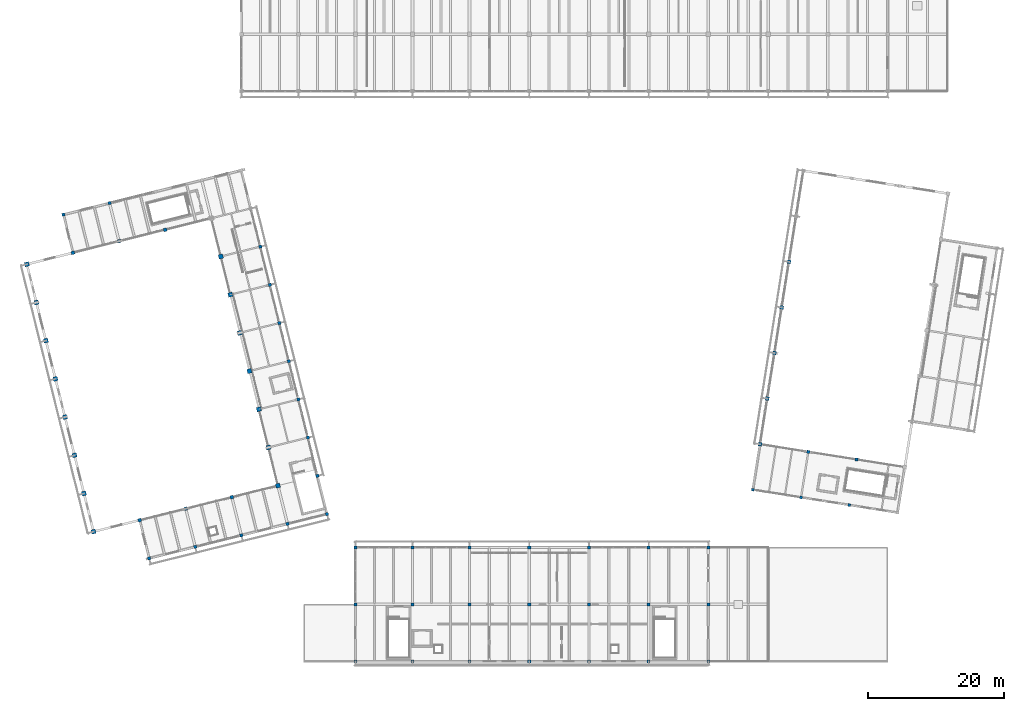
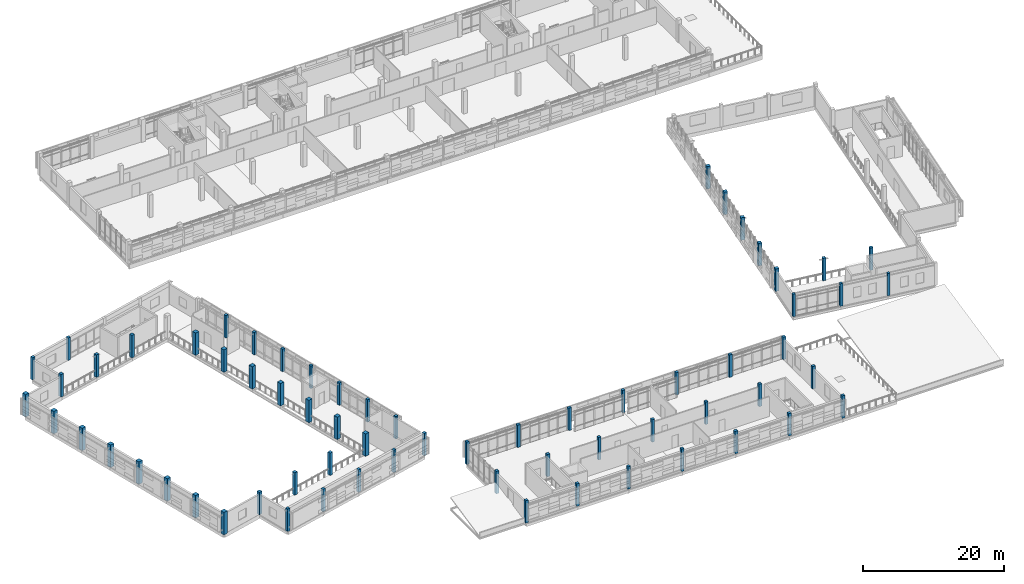
# One storey, part 1 of 117: 66 columns.
"""IFC4 building model written with IfcOpenShell, lengths in metres."""

from ifc_helpers import new_model, si_unit, direction, frame, origin, origin_2d, place, context, subcontext, project, spatial, rectangle, extrude, material, material_profile, profile_set, type_object, element, save


model = new_model("IFC4")

# Units and contexts
model_context = context("Model", 3, precision=1e-05, world=origin(), true_north=direction((0.0, 1.0)))
body_context = subcontext(model_context, "Body", "Model", "MODEL_VIEW")
ifc_project = project(units=[si_unit("LENGTHUNIT", "METRE"), si_unit("AREAUNIT", "SQUARE_METRE"), si_unit("VOLUMEUNIT", "CUBIC_METRE"), si_unit("PLANEANGLEUNIT", "RADIAN"), si_unit("MASSUNIT", "GRAM", prefix="KILO")], contexts=[model_context])

# Site, building, storey
site_placement = place(None, origin())
site = spatial("IfcSite", under=ifc_project, at=site_placement, CompositionType="ELEMENT")
building_placement = place(site_placement, origin())
building = spatial("IfcBuilding", under=site, at=building_placement, Name="Cinderway Yard Community Centre", CompositionType="ELEMENT")
storey_placement = place(building_placement, frame((0.0, 0.0, 9.0)))
storey = spatial("IfcBuildingStorey", under=building, at=storey_placement, Name="L02", CompositionType="ELEMENT", Elevation=9.0)

# Columns
ifc_material = material(Name="Concrete C40/50", Category="concrete")
ifc_material_profile_1 = material_profile(ifc_material, rectangle(XDim=0.39990234375, YDim=0.39990234375, at=origin_2d()), Name="Concrete C40/50")
ifc_profile_set_1 = profile_set([ifc_material_profile_1], Name="Concrete C40/50")
column_type_1 = type_object("IfcColumnType", Name="STR-COL-RC400", PredefinedType="COLUMN", material=ifc_profile_set_1)
for number, where, z_axis, x_axis, name in (
    (1, (116.93603515625, 31.283935546875, 0.0), (0.0, 0.0, 1.0), (0.987688340595, -0.15643446504, 0.0), "Column V2-CS-000 L02"),
    (2, (124.048095703125, 30.156982421875, 0.0), (0.0, 0.0, 1.0), (0.987688340595, -0.15643446504, 0.0), "Column V2-CS-072 L02"),
    (3, (131.158935546875, 29.031005859375, 0.0), (0.0, 0.0, 1.0), (0.987688340595, -0.15643446504, 0.0), "Column V2-CS-144 L02"),
):
    element("IfcColumn", number, at=place(storey_placement, frame(where, z_axis=z_axis, x_axis=x_axis)), inside=storey, type_object=column_type_1, Name=name, PredefinedType="COLUMN", context=body_context, shape_type="SweptSolid", body=[
        extrude(rectangle(XDim=0.39990234375, YDim=0.39990234375, at=origin_2d()), origin(), (0.0, 0.0, 1.0), 3.89990234375),
    ])
ifc_material_profile_2 = material_profile(ifc_material, rectangle(XDim=0.449951171875, YDim=0.449951171875, at=origin_2d()), Name="Concrete C40/50")
ifc_profile_set_2 = profile_set([ifc_material_profile_2], Name="Concrete C40/50")
column_type_2 = type_object("IfcColumnType", Name="STR-COL-RC450", PredefinedType="COLUMN", material=ifc_profile_set_2)
for number, where, z_axis, x_axis, name in (
    (4, (52.799072265625, 33.342041015625, 0.0), (0.0, 0.0, 1.0), (0.970295726276, 0.2419218956, 0.0), "Column V1-C-G01 L02"),
    (5, (51.39599609375, 38.969970703125, 0.0), (0.0, 0.0, 1.0), (0.970295726276, 0.2419218956, 0.0), "Column V1-C-G02 L02"),
    (6, (49.992919921875, 44.597900390625, 0.0), (0.0, 0.0, 1.0), (0.970295726276, 0.2419218956, 0.0), "Column V1-C-G03 L02"),
    (7, (48.590087890625, 50.22509765625, 0.0), (0.0, 0.0, 1.0), (0.970295726276, 0.2419218956, 0.0), "Column V1-C-G04 L02"),
    (8, (47.18701171875, 55.85302734375, 0.0), (0.0, 0.0, 1.0), (0.970295726276, 0.2419218956, 0.0), "Column V1-C-G05 L02"),
    (9, (45.783935546875, 61.48095703125, 0.0), (0.0, 0.0, 1.0), (0.970295726276, 0.2419218956, 0.0), "Column V1-C-G06 L02"),
    (10, (44.381103515625, 67.10791015625, 0.0), (0.0, 0.0, 1.0), (0.970295726276, 0.2419218956, 0.0), "Column V1-C-G07 L02"),
    (11, (28.0048828125, 21.18310546875, 0.0), (0.0, 0.0, 1.0), (0.970295726276, 0.2419218956, 0.0), "Column V1-CS-07 L02"),
    (12, (34.797119140625, 22.8759765625, 0.0), (0.0, 0.0, 1.0), (0.970295726276, 0.2419218956, 0.0), "Column V1-CS-14 L02"),
    (13, (41.589111328125, 24.569091796875, 0.0), (0.0, 0.0, 1.0), (0.970295726276, 0.2419218956, 0.0), "Column V1-CS-21 L02"),
    (14, (48.381103515625, 26.262939453125, 0.0), (0.0, 0.0, 1.0), (0.970295726276, 0.2419218956, 0.0), "Column V1-CS-28 L02"),
    (15, (54.202880859375, 27.714111328125, 0.0), (0.0, 0.0, 1.0), (0.970295726276, 0.2419218956, 0.0), "Column V1-CS-34 L02"),
    (16, (15.3759765625, 71.83203125, 0.0), (0.0, 0.0, 1.0), (0.970295726276, 0.2419218956, 0.0), "Column V1-CN-07 L02"),
    (17, (22.16796875, 73.52490234375, 0.0), (0.0, 0.0, 1.0), (0.970295726276, 0.2419218956, 0.0), "Column V1-CN-14 L02"),
    (18, (125.111083984375, 36.8740234375, 0.0), (0.0, 0.0, 1.0), (0.987688340595, -0.15643446504, 0.0), "Column V2-GS-072 L02"),
    (19, (132.222900390625, 35.7470703125, 0.0), (0.0, 0.0, 1.0), (0.987688340595, -0.15643446504, 0.0), "Column V2-GS-144 L02"),
    (20, (58.39990234375, 6.0, 0.0), (0.0, 0.0, 1.0), (1.0, 0.0, 0.0), "Column V3-C-01-1 L02"),
    (21, (58.39990234375, 14.39990234375, 0.0), (0.0, 0.0, 1.0), (1.0, 0.0, 0.0), "Column V3-C-01-2 L02"),
    (22, (58.39990234375, 22.800048828125, 0.0), (0.0, 0.0, 1.0), (1.0, 0.0, 0.0), "Column V3-C-01-3 L02"),
    (23, (66.800048828125, 6.0, 0.0), (0.0, 0.0, 1.0), (1.0, 0.0, 0.0), "Column V3-C-02-1 L02"),
    (24, (66.800048828125, 14.39990234375, 0.0), (0.0, 0.0, 1.0), (1.0, 0.0, 0.0), "Column V3-C-02-2 L02"),
    (25, (66.800048828125, 22.800048828125, 0.0), (0.0, 0.0, 1.0), (1.0, 0.0, 0.0), "Column V3-C-02-3 L02"),
    (26, (75.199951171875, 6.0, 0.0), (0.0, 0.0, 1.0), (1.0, 0.0, 0.0), "Column V3-C-03-1 L02"),
    (27, (75.199951171875, 14.39990234375, 0.0), (0.0, 0.0, 1.0), (1.0, 0.0, 0.0), "Column V3-C-03-2 L02"),
    (28, (75.199951171875, 22.800048828125, 0.0), (0.0, 0.0, 1.0), (1.0, 0.0, 0.0), "Column V3-C-03-3 L02"),
    (29, (84.0, 6.0, 0.0), (0.0, 0.0, 1.0), (1.0, 0.0, 0.0), "Column V3-C-04-1 L02"),
    (30, (84.0, 14.39990234375, 0.0), (0.0, 0.0, 1.0), (1.0, 0.0, 0.0), "Column V3-C-04-2 L02"),
    (31, (84.0, 22.800048828125, 0.0), (0.0, 0.0, 1.0), (1.0, 0.0, 0.0), "Column V3-C-04-3 L02"),
    (32, (92.800048828125, 6.0, 0.0), (0.0, 0.0, 1.0), (1.0, 0.0, 0.0), "Column V3-C-05-1 L02"),
    (33, (92.800048828125, 14.39990234375, 0.0), (0.0, 0.0, 1.0), (1.0, 0.0, 0.0), "Column V3-C-05-2 L02"),
    (34, (92.800048828125, 22.800048828125, 0.0), (0.0, 0.0, 1.0), (1.0, 0.0, 0.0), "Column V3-C-05-3 L02"),
    (35, (101.60009765625, 6.0, 0.0), (0.0, 0.0, 1.0), (1.0, 0.0, 0.0), "Column V3-C-06-1 L02"),
    (36, (101.60009765625, 14.39990234375, 0.0), (0.0, 0.0, 1.0), (1.0, 0.0, 0.0), "Column V3-C-06-2 L02"),
    (37, (101.60009765625, 22.800048828125, 0.0), (0.0, 0.0, 1.0), (1.0, 0.0, 0.0), "Column V3-C-06-3 L02"),
    (38, (110.39990234375, 6.0, 0.0), (0.0, 0.0, 1.0), (1.0, 0.0, 0.0), "Column V3-C-07-1 L02"),
    (39, (110.39990234375, 14.39990234375, 0.0), (0.0, 0.0, 1.0), (1.0, 0.0, 0.0), "Column V3-C-07-2 L02"),
    (40, (110.39990234375, 22.800048828125, 0.0), (0.0, 0.0, 1.0), (1.0, 0.0, 0.0), "Column V3-C-07-3 L02"),
):
    element("IfcColumn", number, at=place(storey_placement, frame(where, z_axis=z_axis, x_axis=x_axis)), inside=storey, type_object=column_type_2, Name=name, PredefinedType="COLUMN", context=body_context, shape_type="SweptSolid", body=[
        extrude(rectangle(XDim=0.449951171875, YDim=0.449951171875, at=origin_2d()), origin(), (0.0, 0.0, 1.0), 3.89990234375),
    ])
ifc_material_profile_3 = material_profile(ifc_material, rectangle(XDim=0.5, YDim=0.5, at=origin_2d()), Name="Concrete C40/50")
ifc_profile_set_3 = profile_set([ifc_material_profile_3], Name="Concrete C40/50")
column_type_3 = type_object("IfcColumnType", Name="STR-COL-RC500", PredefinedType="COLUMN", material=ifc_profile_set_3)
for number, where, z_axis, x_axis, name in (
    (41, (26.60205078125, 26.81005859375, 0.0), (0.0, 0.0, 1.0), (0.970295726276, 0.2419218956, 0.0), "Column V1-GS-07 L02"),
    (42, (33.39404296875, 28.50390625, 0.0), (0.0, 0.0, 1.0), (0.970295726276, 0.2419218956, 0.0), "Column V1-GS-14 L02"),
    (43, (40.18603515625, 30.197021484375, 0.0), (0.0, 0.0, 1.0), (0.970295726276, 0.2419218956, 0.0), "Column V1-GS-21 L02"),
    (44, (16.779052734375, 66.2041015625, 0.0), (0.0, 0.0, 1.0), (0.970295726276, 0.2419218956, 0.0), "Column V1-GN-07 L02"),
    (45, (23.572021484375, 67.89794921875, 0.0), (0.0, 0.0, 1.0), (0.970295726276, 0.2419218956, 0.0), "Column V1-GN-14 L02"),
    (46, (30.364013671875, 69.591064453125, 0.0), (0.0, 0.0, 1.0), (0.970295726276, 0.2419218956, 0.0), "Column V1-GN-21 L02"),
):
    element("IfcColumn", number, at=place(storey_placement, frame(where, z_axis=z_axis, x_axis=x_axis)), inside=storey, type_object=column_type_3, Name=name, PredefinedType="COLUMN", context=body_context, shape_type="SweptSolid", body=[
        extrude(rectangle(XDim=0.5, YDim=0.5, at=origin_2d()), origin(), (0.0, 0.0, 1.0), 3.89990234375),
    ])
ifc_material_profile_4 = material_profile(ifc_material, rectangle(XDim=0.550048828125, YDim=0.550048828125, at=origin_2d()), Name="Concrete C40/50")
ifc_profile_set_4 = profile_set([ifc_material_profile_4], Name="Concrete C40/50")
column_type_4 = type_object("IfcColumnType", Name="STR-COL-RC550", PredefinedType="COLUMN", material=ifc_profile_set_4)
for number, where, z_axis, x_axis, name in (
    (47, (118.0, 38.0, 0.0), (0.0, 0.0, 1.0), (0.987688340595, -0.15643446504, 0.0), "Column V2-C-W01 L02"),
    (48, (119.06396484375, 44.716064453125, 0.0), (0.0, 0.0, 1.0), (0.987688340595, -0.15643446504, 0.0), "Column V2-C-W02 L02"),
    (49, (120.1279296875, 51.43310546875, 0.0), (0.0, 0.0, 1.0), (0.987688340595, -0.15643446504, 0.0), "Column V2-C-W03 L02"),
    (50, (121.19091796875, 58.14892578125, 0.0), (0.0, 0.0, 1.0), (0.987688340595, -0.15643446504, 0.0), "Column V2-C-W04 L02"),
    (51, (122.2548828125, 64.864990234375, 0.0), (0.0, 0.0, 1.0), (0.987688340595, -0.15643446504, 0.0), "Column V2-C-W05 L02"),
):
    element("IfcColumn", number, at=place(storey_placement, frame(where, z_axis=z_axis, x_axis=x_axis)), inside=storey, type_object=column_type_4, Name=name, PredefinedType="COLUMN", context=body_context, shape_type="SweptSolid", body=[
        extrude(rectangle(XDim=0.550048828125, YDim=0.550048828125, at=origin_2d()), origin(), (0.0, 0.0, 1.0), 3.89990234375),
    ])
ifc_material_profile_5 = material_profile(ifc_material, rectangle(XDim=0.64990234375, YDim=0.64990234375, at=origin_2d()), Name="Concrete C40/50")
ifc_profile_set_5 = profile_set([ifc_material_profile_5], Name="Concrete C40/50")
column_type_5 = type_object("IfcColumnType", Name="STR-COL-RC650", PredefinedType="COLUMN", material=ifc_profile_set_5)
for number, where, z_axis, x_axis, name in (
    (52, (19.80908203125, 25.116943359375, 0.0), (0.0, 0.0, 1.0), (0.970295726276, 0.2419218956, 0.0), "Column V1-C-W01 L02"),
    (53, (18.406005859375, 30.7451171875, 0.0), (0.0, 0.0, 1.0), (0.970295726276, 0.2419218956, 0.0), "Column V1-C-W02 L02"),
    (54, (17.0029296875, 36.3720703125, 0.0), (0.0, 0.0, 1.0), (0.970295726276, 0.2419218956, 0.0), "Column V1-C-W03 L02"),
    (55, (15.60009765625, 42.0, 0.0), (0.0, 0.0, 1.0), (0.970295726276, 0.2419218956, 0.0), "Column V1-C-W04 L02"),
    (56, (14.197021484375, 47.6279296875, 0.0), (0.0, 0.0, 1.0), (0.970295726276, 0.2419218956, 0.0), "Column V1-C-W05 L02"),
    (57, (12.7939453125, 53.2548828125, 0.0), (0.0, 0.0, 1.0), (0.970295726276, 0.2419218956, 0.0), "Column V1-C-W06 L02"),
    (58, (11.39111328125, 58.883056640625, 0.0), (0.0, 0.0, 1.0), (0.970295726276, 0.2419218956, 0.0), "Column V1-C-W07 L02"),
    (59, (9.987060546875, 64.510986328125, 0.0), (0.0, 0.0, 1.0), (0.970295726276, 0.2419218956, 0.0), "Column V1-C-W08 L02"),
    (60, (46.97802734375, 31.89111328125, 0.0), (0.0, 0.0, 1.0), (0.970295726276, 0.2419218956, 0.0), "Column V1-C-E01 L02"),
    (61, (45.574951171875, 37.51806640625, 0.0), (0.0, 0.0, 1.0), (0.970295726276, 0.2419218956, 0.0), "Column V1-C-E02 L02"),
    (62, (44.1708984375, 43.14599609375, 0.0), (0.0, 0.0, 1.0), (0.970295726276, 0.2419218956, 0.0), "Column V1-C-E03 L02"),
    (63, (42.76806640625, 48.77392578125, 0.0), (0.0, 0.0, 1.0), (0.970295726276, 0.2419218956, 0.0), "Column V1-C-E04 L02"),
    (64, (41.364990234375, 54.402099609375, 0.0), (0.0, 0.0, 1.0), (0.970295726276, 0.2419218956, 0.0), "Column V1-C-E05 L02"),
    (65, (39.9619140625, 60.029052734375, 0.0), (0.0, 0.0, 1.0), (0.970295726276, 0.2419218956, 0.0), "Column V1-C-E06 L02"),
    (66, (38.55908203125, 65.656982421875, 0.0), (0.0, 0.0, 1.0), (0.970295726276, 0.2419218956, 0.0), "Column V1-C-E07 L02"),
):
    element("IfcColumn", number, at=place(storey_placement, frame(where, z_axis=z_axis, x_axis=x_axis)), inside=storey, type_object=column_type_5, Name=name, PredefinedType="COLUMN", context=body_context, shape_type="SweptSolid", body=[
        extrude(rectangle(XDim=0.64990234375, YDim=0.64990234375, at=origin_2d()), origin(), (0.0, 0.0, 1.0), 3.89990234375),
    ])

save(model, "model.ifc")
